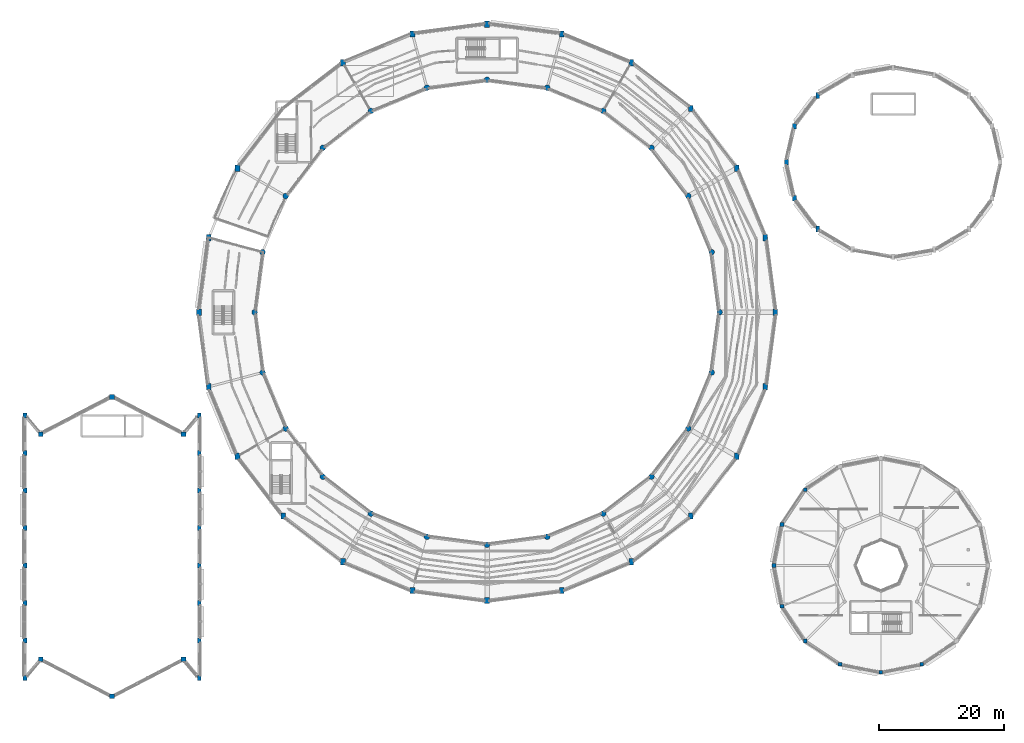
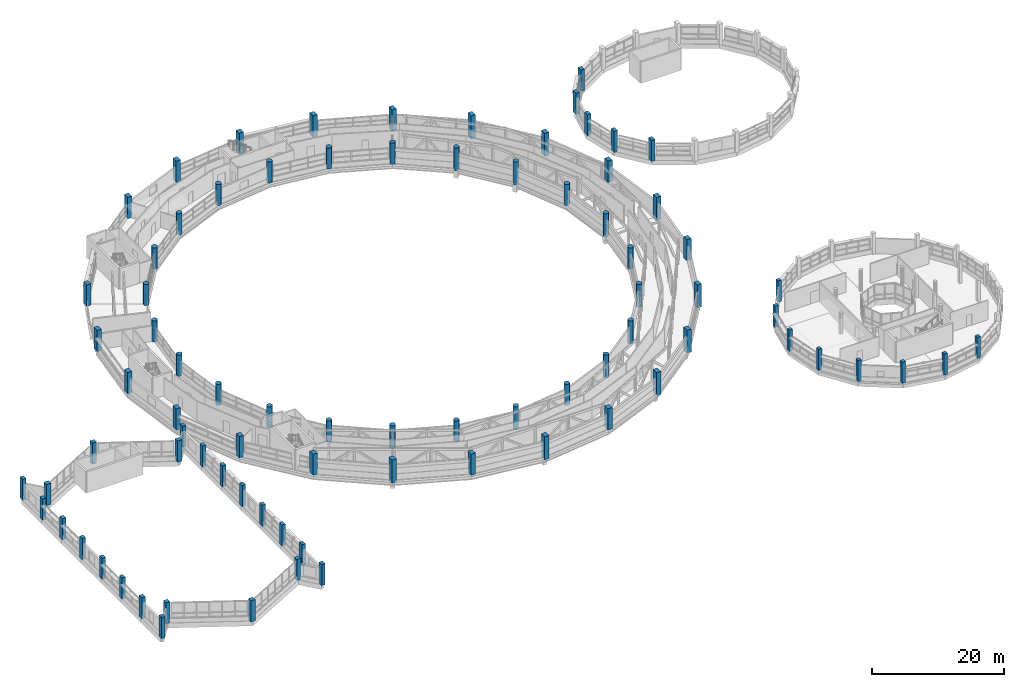
# One storey, part 1 of 121: 82 columns.
"""IFC4 building model written with IfcOpenShell, lengths in metres."""

from ifc_helpers import new_model, si_unit, direction, frame, origin, origin_2d, place, context, subcontext, project, spatial, rectangle, circle, extrude, material, material_profile, profile_set, type_object, element, save


model = new_model("IFC4")

# Units and contexts
model_context = context("Model", 3, precision=1e-05, world=origin(), true_north=direction((0.0, 1.0)))
body_context = subcontext(model_context, "Body", "Model", "MODEL_VIEW")
ifc_project = project(units=[si_unit("LENGTHUNIT", "METRE"), si_unit("AREAUNIT", "SQUARE_METRE"), si_unit("VOLUMEUNIT", "CUBIC_METRE"), si_unit("PLANEANGLEUNIT", "RADIAN"), si_unit("MASSUNIT", "GRAM", prefix="KILO")], contexts=[model_context])

# Site, building, storey
site_placement = place(None, origin())
site = spatial("IfcSite", under=ifc_project, at=site_placement, CompositionType="ELEMENT")
building_placement = place(site_placement, origin())
building = spatial("IfcBuilding", under=site, at=building_placement, Name="Vespera Passage Community Centre", CompositionType="ELEMENT")
storey_placement = place(building_placement, frame((0.0, 0.0, 8.699951171875)))
storey = spatial("IfcBuildingStorey", under=building, at=storey_placement, Name="L02", CompositionType="ELEMENT", Elevation=8.699951171875)

# Columns
ifc_material_1 = material(Name="Concrete f'c 45 MPa", Category="concrete")
ifc_material_profile_1 = material_profile(ifc_material_1, rectangle(XDim=0.75, YDim=1.0, at=origin_2d()), Name="RC1000X750")
ifc_profile_set_1 = profile_set([ifc_material_profile_1], Name="Concrete f'c 45 MPa")
column_type_1 = type_object("IfcColumnType", Name="COL-RC1000X750E", PredefinedType="COLUMN", material=ifc_profile_set_1)
for number, where, z_axis, x_axis, name in (
    (1, (122.529296875, 77.431640625, 0.0), (0.0, 0.0, 1.0), (1.0, 0.0, 0.0), "L02 Column V4-O01"),
    (2, (101.050048828125, 105.423828125, 0.0), (0.0, 0.0, 1.0), (1.0, 0.0, 0.0), "L02 Column V4-O04"),
    (3, (89.931640625, 110.029296875, 0.0), (0.0, 0.0, 1.0), (1.0, 0.0, 0.0), "L02 Column V4-O05"),
    (4, (78.0, 111.60009765625, 0.0), (0.0, 0.0, 1.0), (1.0, 0.0, 0.0), "L02 Column V4-O06"),
    (5, (66.068359375, 110.029296875, 0.0), (0.0, 0.0, 1.0), (1.0, 0.0, 0.0), "L02 Column V4-O07"),
    (6, (54.949951171875, 105.423828125, 0.0), (0.0, 0.0, 1.0), (1.0, 0.0, 0.0), "L02 Column V4-O08"),
    (7, (38.076171875, 88.550048828125, 0.0), (0.0, 0.0, 1.0), (1.0, 0.0, 0.0), "L02 Column V4-O10"),
    (8, (33.470703125, 77.431640625, 0.0), (0.0, 0.0, 1.0), (1.0, 0.0, 0.0), "L02 Column V4-O11"),
    (9, (31.89990234375, 65.5, 0.0), (0.0, 0.0, 1.0), (1.0, 0.0, 0.0), "L02 Column V4-O12"),
    (10, (33.470703125, 53.568359375, 0.0), (0.0, 0.0, 1.0), (1.0, 0.0, 0.0), "L02 Column V4-O13"),
    (11, (38.076171875, 42.449951171875, 0.0), (0.0, 0.0, 1.0), (1.0, 0.0, 0.0), "L02 Column V4-O14"),
    (12, (45.40234375, 32.90234375, 0.0), (0.0, 0.0, 1.0), (1.0, 0.0, 0.0), "L02 Column V4-O15"),
    (13, (66.068359375, 20.970703125, 0.0), (0.0, 0.0, 1.0), (1.0, 0.0, 0.0), "L02 Column V4-O17"),
    (14, (89.931640625, 20.970703125, 0.0), (0.0, 0.0, 1.0), (1.0, 0.0, 0.0), "L02 Column V4-O19"),
    (15, (122.529296875, 53.568359375, 0.0), (0.0, 0.0, 1.0), (1.0, 0.0, 0.0), "L02 Column V4-O23"),
):
    element("IfcColumn", number, at=place(storey_placement, frame(where, z_axis=z_axis, x_axis=x_axis)), inside=storey, type_object=column_type_1, Name=name, PredefinedType="COLUMN", context=body_context, shape_type="SweptSolid", body=[
        extrude(rectangle(XDim=0.75, YDim=1.0, at=origin_2d()), origin(), (0.0, 0.0, 1.0), 3.900146484375),
    ])
for number, where, z_axis, x_axis, name in (
    (16, (124.10009765625, 65.5, -0.33984375), (0.0, 0.0, 1.0), (1.0, 0.0, 0.0), "L02 Column V4-O00"),
    (17, (117.923828125, 88.550048828125, -0.33984375), (0.0, 0.0, 1.0), (1.0, 0.0, 0.0), "L02 Column V4-O02"),
    (18, (110.59765625, 98.09765625, -0.33984375), (0.0, 0.0, 1.0), (1.0, 0.0, 0.0), "L02 Column V4-O03"),
    (19, (54.949951171875, 25.576171875, -0.33984375), (0.0, 0.0, 1.0), (1.0, 0.0, 0.0), "L02 Column V4-O16"),
    (20, (78.0, 19.39990234375, -0.33984375), (0.0, 0.0, 1.0), (1.0, 0.0, 0.0), "L02 Column V4-O18"),
    (21, (101.050048828125, 25.576171875, -0.33984375), (0.0, 0.0, 1.0), (1.0, 0.0, 0.0), "L02 Column V4-O20"),
    (22, (110.59765625, 32.90234375, -0.33984375), (0.0, 0.0, 1.0), (1.0, 0.0, 0.0), "L02 Column V4-O21"),
    (23, (117.923828125, 42.449951171875, -0.33984375), (0.0, 0.0, 1.0), (1.0, 0.0, 0.0), "L02 Column V4-O22"),
):
    element("IfcColumn", number, at=place(storey_placement, frame(where, z_axis=z_axis, x_axis=x_axis)), inside=storey, type_object=column_type_1, Name=name, PredefinedType="COLUMN", context=body_context, shape_type="SweptSolid", body=[
        extrude(rectangle(XDim=0.75, YDim=1.0, at=origin_2d()), origin(), (0.0, 0.0, 1.0), 4.239990234375),
    ])
ifc_material_2 = material(Name="Concrete f'c 45 MPa", Category="concrete")
ifc_material_profile_2 = material_profile(ifc_material_2, rectangle(XDim=0.60009765625, YDim=0.60009765625, at=origin_2d()), Name="RC600X600")
ifc_profile_set_2 = profile_set([ifc_material_profile_2], Name="Concrete f'c 45 MPa")
column_type_2 = type_object("IfcColumnType", Name="COL-RC600E", PredefinedType="COLUMN", material=ifc_profile_set_2)
for number, where, z_axis, x_axis, name in (
    (24, (128.908447265625, 37.091552734375, 0.0), (0.0, 0.0, 1.0), (1.0, 0.0, 0.0), "L02 Column V3-P07"),
    (25, (125.20166015625, 31.5439453125, 0.0), (0.0, 0.0, 1.0), (1.0, 0.0, 0.0), "L02 Column V3-P08"),
    (26, (123.89990234375, 25.0, 0.0), (0.0, 0.0, 1.0), (1.0, 0.0, 0.0), "L02 Column V3-P09"),
    (27, (125.20166015625, 18.4560546875, 0.0), (0.0, 0.0, 1.0), (1.0, 0.0, 0.0), "L02 Column V3-P10"),
    (28, (128.908447265625, 12.908447265625, 0.0), (0.0, 0.0, 1.0), (1.0, 0.0, 0.0), "L02 Column V3-P11"),
    (29, (134.4560546875, 9.20166015625, 0.0), (0.0, 0.0, 1.0), (1.0, 0.0, 0.0), "L02 Column V3-P12"),
    (30, (141.0, 7.89990234375, 0.0), (0.0, 0.0, 1.0), (1.0, 0.0, 0.0), "L02 Column V3-P13"),
    (31, (147.5439453125, 9.20166015625, 0.0), (0.0, 0.0, 1.0), (1.0, 0.0, 0.0), "L02 Column V3-P14"),
):
    element("IfcColumn", number, at=place(storey_placement, frame(where, z_axis=z_axis, x_axis=x_axis)), inside=storey, type_object=column_type_2, Name=name, PredefinedType="COLUMN", context=body_context, shape_type="SweptSolid", body=[
        extrude(rectangle(XDim=0.60009765625, YDim=0.60009765625, at=origin_2d()), origin(), (0.0, 0.0, 1.0), 3.900146484375),
    ])
ifc_material_3 = material(Name="Concrete f'c 45 MPa", Category="concrete")
ifc_material_profile_3 = material_profile(ifc_material_3, rectangle(XDim=0.75, YDim=0.75, at=origin_2d()), Name="RC750X750")
ifc_profile_set_3 = profile_set([ifc_material_profile_3], Name="Concrete f'c 45 MPa")
column_type_3 = type_object("IfcColumnType", Name="COL-RC750E", PredefinedType="COLUMN", material=ifc_profile_set_3)
for number, where, z_axis, x_axis, name in (
    (32, (29.42724609375, 46.00146484375, 0.0), (0.0, 0.0, 1.0), (1.0, 0.0, 0.0), "L02 Column V1-AN1"),
    (33, (18.0, 51.949951171875, 0.0), (0.0, 0.0, 1.0), (1.0, 0.0, 0.0), "L02 Column V1-AN2"),
    (34, (6.57275390625, 46.00146484375, 0.0), (0.0, 0.0, 1.0), (1.0, 0.0, 0.0), "L02 Column V1-AN3"),
    (35, (6.57275390625, 9.99853515625, 0.0), (0.0, 0.0, 1.0), (1.0, 0.0, 0.0), "L02 Column V1-AS1"),
    (36, (18.0, 4.050048828125, 0.0), (0.0, 0.0, 1.0), (1.0, 0.0, 0.0), "L02 Column V1-AS2"),
    (37, (29.42724609375, 9.99853515625, 0.0), (0.0, 0.0, 1.0), (1.0, 0.0, 0.0), "L02 Column V1-AS3"),
):
    element("IfcColumn", number, at=place(storey_placement, frame(where, z_axis=z_axis, x_axis=x_axis)), inside=storey, type_object=column_type_3, Name=name, PredefinedType="COLUMN", context=body_context, shape_type="SweptSolid", body=[
        extrude(rectangle(XDim=0.75, YDim=0.75, at=origin_2d()), origin(), (0.0, 0.0, 1.0), 3.900146484375),
    ])
ifc_material_4 = material(Name="Concrete f'c 45 MPa", Category="concrete")
ifc_material_profile_4 = material_profile(ifc_material_4, rectangle(XDim=0.60009765625, YDim=0.800048828125, at=origin_2d()), Name="RC800X600")
ifc_profile_set_4 = profile_set([ifc_material_profile_4], Name="Concrete f'c 45 MPa")
column_type_4 = type_object("IfcColumnType", Name="COL-RC800X600E", PredefinedType="COLUMN", material=ifc_profile_set_4)
for number, where, z_axis, x_axis, name in (
    (38, (31.949951171875, 7.0, 0.0), (0.0, 0.0, 1.0), (1.0, 0.0, 0.0), "L02 Column V1-E1"),
    (39, (31.949951171875, 13.0, 0.0), (0.0, 0.0, 1.0), (1.0, 0.0, 0.0), "L02 Column V1-E2"),
    (40, (31.949951171875, 19.0, 0.0), (0.0, 0.0, 1.0), (1.0, 0.0, 0.0), "L02 Column V1-E3"),
    (41, (31.949951171875, 25.0, 0.0), (0.0, 0.0, 1.0), (1.0, 0.0, 0.0), "L02 Column V1-E4"),
    (42, (31.949951171875, 31.0, 0.0), (0.0, 0.0, 1.0), (1.0, 0.0, 0.0), "L02 Column V1-E5"),
    (43, (31.949951171875, 37.0, 0.0), (0.0, 0.0, 1.0), (1.0, 0.0, 0.0), "L02 Column V1-E6"),
    (44, (31.949951171875, 43.0, 0.0), (0.0, 0.0, 1.0), (1.0, 0.0, 0.0), "L02 Column V1-E7"),
    (45, (31.949951171875, 49.0, 0.0), (0.0, 0.0, 1.0), (1.0, 0.0, 0.0), "L02 Column V1-E8"),
    (46, (4.050048828125, 7.0, 0.0), (0.0, 0.0, 1.0), (1.0, 0.0, 0.0), "L02 Column V1-W1"),
    (47, (4.050048828125, 13.0, 0.0), (0.0, 0.0, 1.0), (1.0, 0.0, 0.0), "L02 Column V1-W2"),
    (48, (4.050048828125, 19.0, 0.0), (0.0, 0.0, 1.0), (1.0, 0.0, 0.0), "L02 Column V1-W3"),
    (49, (4.050048828125, 25.0, 0.0), (0.0, 0.0, 1.0), (1.0, 0.0, 0.0), "L02 Column V1-W4"),
    (50, (4.050048828125, 31.0, 0.0), (0.0, 0.0, 1.0), (1.0, 0.0, 0.0), "L02 Column V1-W5"),
    (51, (4.050048828125, 37.0, 0.0), (0.0, 0.0, 1.0), (1.0, 0.0, 0.0), "L02 Column V1-W6"),
    (52, (4.050048828125, 43.0, 0.0), (0.0, 0.0, 1.0), (1.0, 0.0, 0.0), "L02 Column V1-W7"),
    (53, (4.050048828125, 49.0, 0.0), (0.0, 0.0, 1.0), (1.0, 0.0, 0.0), "L02 Column V1-W8"),
):
    element("IfcColumn", number, at=place(storey_placement, frame(where, z_axis=z_axis, x_axis=x_axis)), inside=storey, type_object=column_type_4, Name=name, PredefinedType="COLUMN", context=body_context, shape_type="SweptSolid", body=[
        extrude(rectangle(XDim=0.60009765625, YDim=0.800048828125, at=origin_2d()), origin(), (0.0, 0.0, 1.0), 3.900146484375),
    ])
ifc_material_5 = material(Name="Concrete f'c 45 MPa", Category="concrete")
ifc_material_profile_5 = material_profile(ifc_material_5, circle(Radius=0.449951171875, at=origin_2d()), Name="RC900DIA")
ifc_profile_set_5 = profile_set([ifc_material_profile_5], Name="Concrete f'c 45 MPa")
column_type_5 = type_object("IfcColumnType", Name="COL-RC900DIAE", PredefinedType="COLUMN", material=ifc_profile_set_5)
for number, where, z_axis, x_axis, name in (
    (54, (113.932373046875, 75.128173828125, 0.0), (0.0, 0.0, 1.0), (1.0, 0.0, 0.0), "L02 Column V4-I01"),
    (55, (96.60009765625, 97.716064453125, 0.0), (0.0, 0.0, 1.0), (1.0, 0.0, 0.0), "L02 Column V4-I04"),
    (56, (87.628173828125, 101.432373046875, 0.0), (0.0, 0.0, 1.0), (1.0, 0.0, 0.0), "L02 Column V4-I05"),
    (57, (78.0, 102.699951171875, 0.0), (0.0, 0.0, 1.0), (1.0, 0.0, 0.0), "L02 Column V4-I06"),
    (58, (68.371826171875, 101.432373046875, 0.0), (0.0, 0.0, 1.0), (1.0, 0.0, 0.0), "L02 Column V4-I07"),
    (59, (59.39990234375, 97.716064453125, 0.0), (0.0, 0.0, 1.0), (1.0, 0.0, 0.0), "L02 Column V4-I08"),
    (60, (51.695556640625, 91.804443359375, 0.0), (0.0, 0.0, 1.0), (1.0, 0.0, 0.0), "L02 Column V4-I09"),
    (61, (45.783935546875, 84.10009765625, 0.0), (0.0, 0.0, 1.0), (1.0, 0.0, 0.0), "L02 Column V4-I10"),
    (62, (42.067626953125, 75.128173828125, 0.0), (0.0, 0.0, 1.0), (1.0, 0.0, 0.0), "L02 Column V4-I11"),
    (63, (40.800048828125, 65.5, 0.0), (0.0, 0.0, 1.0), (1.0, 0.0, 0.0), "L02 Column V4-I12"),
    (64, (42.067626953125, 55.871826171875, 0.0), (0.0, 0.0, 1.0), (1.0, 0.0, 0.0), "L02 Column V4-I13"),
    (65, (45.783935546875, 46.89990234375, 0.0), (0.0, 0.0, 1.0), (1.0, 0.0, 0.0), "L02 Column V4-I14"),
    (66, (51.695556640625, 39.195556640625, 0.0), (0.0, 0.0, 1.0), (1.0, 0.0, 0.0), "L02 Column V4-I15"),
    (67, (68.371826171875, 29.567626953125, 0.0), (0.0, 0.0, 1.0), (1.0, 0.0, 0.0), "L02 Column V4-I17"),
    (68, (87.628173828125, 29.567626953125, 0.0), (0.0, 0.0, 1.0), (1.0, 0.0, 0.0), "L02 Column V4-I19"),
    (69, (113.932373046875, 55.871826171875, 0.0), (0.0, 0.0, 1.0), (1.0, 0.0, 0.0), "L02 Column V4-I23"),
):
    element("IfcColumn", number, at=place(storey_placement, frame(where, z_axis=z_axis, x_axis=x_axis)), inside=storey, type_object=column_type_5, Name=name, PredefinedType="COLUMN", context=body_context, shape_type="SweptSolid", body=[
        extrude(circle(Radius=0.449951171875, at=origin_2d()), origin(), (0.0, 0.0, 1.0), 3.900146484375),
    ])
for number, where, z_axis, x_axis, name in (
    (70, (115.199951171875, 65.5, -0.33984375), (0.0, 0.0, 1.0), (1.0, 0.0, 0.0), "L02 Column V4-I00"),
    (71, (110.216064453125, 84.10009765625, -0.33984375), (0.0, 0.0, 1.0), (1.0, 0.0, 0.0), "L02 Column V4-I02"),
    (72, (104.304443359375, 91.804443359375, -0.33984375), (0.0, 0.0, 1.0), (1.0, 0.0, 0.0), "L02 Column V4-I03"),
    (73, (59.39990234375, 33.283935546875, -0.33984375), (0.0, 0.0, 1.0), (1.0, 0.0, 0.0), "L02 Column V4-I16"),
    (74, (78.0, 28.300048828125, -0.33984375), (0.0, 0.0, 1.0), (1.0, 0.0, 0.0), "L02 Column V4-I18"),
    (75, (96.60009765625, 33.283935546875, -0.33984375), (0.0, 0.0, 1.0), (1.0, 0.0, 0.0), "L02 Column V4-I20"),
    (76, (104.304443359375, 39.195556640625, -0.33984375), (0.0, 0.0, 1.0), (1.0, 0.0, 0.0), "L02 Column V4-I21"),
    (77, (110.216064453125, 46.89990234375, -0.33984375), (0.0, 0.0, 1.0), (1.0, 0.0, 0.0), "L02 Column V4-I22"),
):
    element("IfcColumn", number, at=place(storey_placement, frame(where, z_axis=z_axis, x_axis=x_axis)), inside=storey, type_object=column_type_5, Name=name, PredefinedType="COLUMN", context=body_context, shape_type="SweptSolid", body=[
        extrude(circle(Radius=0.449951171875, at=origin_2d()), origin(), (0.0, 0.0, 1.0), 4.239990234375),
    ])
ifc_material_6 = material(Name="Concrete f'c 45 MPa", Category="concrete")
ifc_material_profile_6 = material_profile(ifc_material_6, rectangle(XDim=0.60009765625, YDim=0.89990234375, at=origin_2d()), Name="RC900X600")
ifc_profile_set_6 = profile_set([ifc_material_profile_6], Name="Concrete f'c 45 MPa")
column_type_6 = type_object("IfcColumnType", Name="COL-RC900X600E", PredefinedType="COLUMN", material=ifc_profile_set_6)
for number, where, z_axis, x_axis, name in (
    (78, (130.908447265625, 100.17724609375, 0.0), (0.0, 0.0, 1.0), (1.0, 0.0, 0.0), "L02 Column V2-P07"),
    (79, (127.20166015625, 95.278564453125, 0.0), (0.0, 0.0, 1.0), (1.0, 0.0, 0.0), "L02 Column V2-P08"),
    (80, (125.89990234375, 89.5, 0.0), (0.0, 0.0, 1.0), (1.0, 0.0, 0.0), "L02 Column V2-P09"),
    (81, (127.20166015625, 83.721435546875, 0.0), (0.0, 0.0, 1.0), (1.0, 0.0, 0.0), "L02 Column V2-P10"),
    (82, (130.908447265625, 78.82275390625, 0.0), (0.0, 0.0, 1.0), (1.0, 0.0, 0.0), "L02 Column V2-P11"),
):
    element("IfcColumn", number, at=place(storey_placement, frame(where, z_axis=z_axis, x_axis=x_axis)), inside=storey, type_object=column_type_6, Name=name, PredefinedType="COLUMN", context=body_context, shape_type="SweptSolid", body=[
        extrude(rectangle(XDim=0.60009765625, YDim=0.89990234375, at=origin_2d()), origin(), (0.0, 0.0, 1.0), 3.900146484375),
    ])

save(model, "model.ifc")
